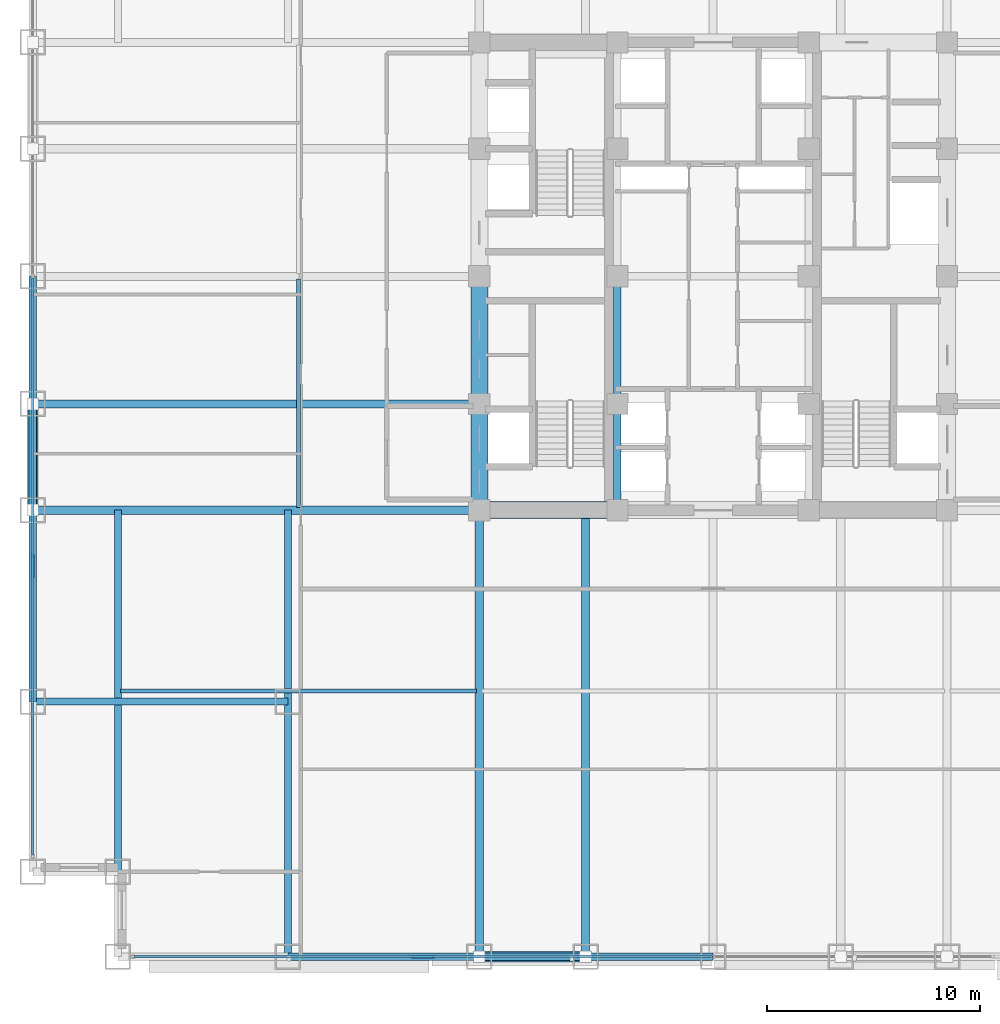
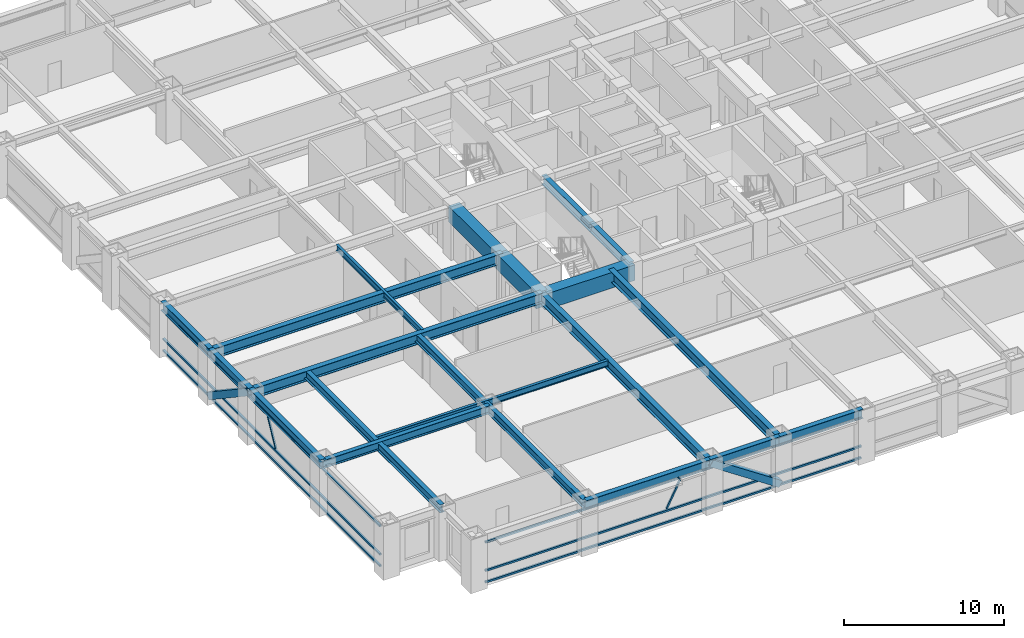
# One storey, part 3 of 32: 20 beams, 10 members, 2 elements without a shape of their own.
"""IFC4 building model written with IfcOpenShell, lengths in metres."""

from ifc_helpers import new_model, si_unit, direction, frame, origin, origin_2d, place, context, subcontext, project, spatial, rectangle, hollow_rectangle, i_section, extrude, source, transform, mapped, material, material_profile, profile_set, type_object, element, aggregate, save


model = new_model("IFC4")

# Units and contexts
model_context = context("Model", 3, precision=1e-05, world=origin(), true_north=direction((0.0, 1.0)))
body_context = subcontext(model_context, "Body", "Model", "MODEL_VIEW")
ifc_project = project(units=[si_unit("LENGTHUNIT", "METRE"), si_unit("AREAUNIT", "SQUARE_METRE"), si_unit("VOLUMEUNIT", "CUBIC_METRE"), si_unit("PLANEANGLEUNIT", "RADIAN"), si_unit("MASSUNIT", "GRAM", prefix="KILO")], contexts=[model_context])

# Site, building, storey
site_placement = place(None, origin())
site = spatial("IfcSite", under=ifc_project, at=site_placement, CompositionType="ELEMENT")
building_placement = place(site_placement, origin())
building = spatial("IfcBuilding", under=site, at=building_placement, Name="Khorayat Bourse Tower", CompositionType="ELEMENT")
storey_placement = place(building_placement, frame((0.0, 0.0, 91.39990234375)))
storey = spatial("IfcBuildingStorey", under=building, at=storey_placement, Name="L20", CompositionType="ELEMENT", Elevation=91.39990234375)

# Beams
ifc_material_1 = material(Name="Concrete C72/90", Category="concrete")
ifc_material_profile_1 = material_profile(ifc_material_1, rectangle(XDim=0.800048828125, YDim=1.199951171875, at=origin_2d()), Name="RC 800x1200")
ifc_profile_set_1 = profile_set([ifc_material_profile_1], Name="Concrete C72/90")
beam_type_1 = type_object("IfcBeamType", Name="BM-COUP-1200", PredefinedType="BEAM", material=ifc_profile_set_1)
shared_shape_1 = source(origin(), body_context, "Body", "SweptSolid", [
    extrude(rectangle(XDim=0.800048828125, YDim=1.199951171875, at=origin_2d()), origin(), (0.0, 0.0, 1.0), 5.0),
])
beam_1_placement = place(storey_placement, frame((-11.0, -11.0, 3.239990234375), z_axis=(0.0, 1.0, 0.0), x_axis=(-1.0, 0.0, 0.0)))
element("IfcBeam", 1, at=beam_1_placement, inside=storey, type_object=beam_type_1, Name="L20 BM-COUP-1200 BM-L20-CRX-01", PredefinedType="BEAM", context=body_context, shape_type="MappedRepresentation", body=[
    mapped(shared_shape_1, transform((0.0, 0.0, 0.0), scale=1.0)),
])
shared_shape_2 = source(origin(), body_context, "Body", "SweptSolid", [
    extrude(rectangle(XDim=0.800048828125, YDim=1.199951171875, at=origin_2d()), origin(), (0.0, 0.0, 1.0), 6.0),
])
beam_2_placement = place(storey_placement, frame((-11.0, -6.0, 3.239990234375), z_axis=(0.0, 1.0, 0.0), x_axis=(-1.0, 0.0, 0.0)))
element("IfcBeam", 2, at=beam_2_placement, inside=storey, type_object=beam_type_1, Name="L20 BM-COUP-1200 BM-L20-CRX-02", PredefinedType="BEAM", context=body_context, shape_type="MappedRepresentation", body=[
    mapped(shared_shape_2, transform((0.0, 0.0, 0.0), scale=1.0)),
])
ifc_material_2 = material(Name="Steel ASTM A992 Grade 50", Category="steel")
ifc_material_profile_2 = material_profile(ifc_material_2, i_section(OverallWidth=0.35498046875, OverallDepth=0.695068359375, WebThickness=0.015380859375, FlangeThickness=0.02490234375, FilletRadius=0.01806640625, at=origin_2d()), Name="W690X217")
ifc_profile_set_2 = profile_set([ifc_material_profile_2], Name="Steel ASTM A992 Grade 50")
beam_type_2 = type_object("IfcBeamType", Name="BM-GIRD-690", PredefinedType="BEAM", material=ifc_profile_set_2)
shared_shape_3 = source(origin(), body_context, "Body", "SweptSolid", [
    extrude(i_section(OverallWidth=0.35498046875, OverallDepth=0.695068359375, WebThickness=0.015380859375, FlangeThickness=0.02490234375, FilletRadius=0.01806640625, at=origin_2d()), origin(), (0.0, 0.0, 1.0), 5.0),
])
beam_3_placement = place(storey_placement, frame((-4.5, -11.0, 3.49267578125), z_axis=(0.0, 1.0, 0.0), x_axis=(-1.0, 0.0, 0.0)))
element("IfcBeam", 3, at=beam_3_placement, inside=storey, type_object=beam_type_2, Name="L20 BM-GIRD-690 BM-L20-CRX-05", PredefinedType="BEAM", context=body_context, shape_type="MappedRepresentation", body=[
    mapped(shared_shape_3, transform((0.0, 0.0, 0.0), scale=1.0)),
])
shared_shape_4 = source(origin(), body_context, "Body", "SweptSolid", [
    extrude(i_section(OverallWidth=0.35498046875, OverallDepth=0.695068359375, WebThickness=0.015380859375, FlangeThickness=0.02490234375, FilletRadius=0.01806640625, at=origin_2d()), origin(), (0.0, 0.0, 1.0), 6.0),
])
beam_4_placement = place(storey_placement, frame((-4.5, -6.0, 3.49267578125), z_axis=(0.0, 1.0, 0.0), x_axis=(-1.0, 0.0, 0.0)))
element("IfcBeam", 4, at=beam_4_placement, inside=storey, type_object=beam_type_2, Name="L20 BM-GIRD-690 BM-L20-CRX-06", PredefinedType="BEAM", context=body_context, shape_type="MappedRepresentation", body=[
    mapped(shared_shape_4, transform((0.0, 0.0, 0.0), scale=1.0)),
])
shared_shape_5 = source(origin(), body_context, "Body", "SweptSolid", [
    extrude(rectangle(XDim=0.800048828125, YDim=1.199951171875, at=origin_2d()), origin(), (0.0, 0.0, 1.0), 6.5),
])
beam_5_placement = place(storey_placement, frame((-11.0, -11.0, 3.239990234375), z_axis=(1.0, 0.0, 0.0), x_axis=(0.0, 1.0, 0.0)))
element("IfcBeam", 5, at=beam_5_placement, inside=storey, type_object=beam_type_1, Name="L20 BM-COUP-1200 BM-L20-CRY-17", PredefinedType="BEAM", context=body_context, shape_type="MappedRepresentation", body=[
    mapped(shared_shape_5, transform((0.0, 0.0, 0.0), scale=1.0)),
])
ifc_material_profile_3 = material_profile(ifc_material_2, i_section(OverallWidth=0.35498046875, OverallDepth=0.695068359375, WebThickness=0.015380859375, FlangeThickness=0.02490234375, FilletRadius=0.01806640625, at=origin_2d()), Name="W690X217")
ifc_profile_set_3 = profile_set([ifc_material_profile_3], Name="Steel ASTM A992 Grade 50")
beam_type_3 = type_object("IfcBeamType", Name="BM-SPAN-690", PredefinedType="SPANDREL", material=ifc_profile_set_3)
shared_shape_6 = source(origin(), body_context, "Body", "SweptSolid", [
    extrude(i_section(OverallWidth=0.35498046875, OverallDepth=0.695068359375, WebThickness=0.015380859375, FlangeThickness=0.02490234375, FilletRadius=0.01806640625, at=origin_2d()), origin(), (0.0, 0.0, 1.0), 9.0),
])
for number, where, z_axis, x_axis, name in (
    (6, (-20.0, -32.0, 3.49267578125), (1.0, 0.0, 0.0), (0.0, 1.0, 0.0), "L20 BM-SPAN-690 BM-L20-SPN-025"),
    (7, (-32.0, -20.0, 3.49267578125), (0.0, 1.0, 0.0), (-1.0, 0.0, 0.0), "L20 BM-SPAN-690 BM-L20-SPN-060"),
):
    element("IfcBeam", number, at=place(storey_placement, frame(where, z_axis=z_axis, x_axis=x_axis)), inside=storey, type_object=beam_type_3, Name=name, PredefinedType="SPANDREL", context=body_context, shape_type="MappedRepresentation", body=[
        mapped(shared_shape_6, transform((0.0, 0.0, 0.0), scale=1.0)),
    ])
shared_shape_7 = source(origin(), body_context, "Body", "SweptSolid", [
    extrude(i_section(OverallWidth=0.35498046875, OverallDepth=0.695068359375, WebThickness=0.015380859375, FlangeThickness=0.02490234375, FilletRadius=0.01806640625, at=origin_2d()), origin(), (0.0, 0.0, 1.0), 5.0),
])
for number, where, z_axis, x_axis, name in (
    (8, (-11.0, -32.0, 3.49267578125), (1.0, 0.0, 0.0), (0.0, 1.0, 0.0), "L20 BM-SPAN-690 BM-L20-SPN-026"),
    (9, (-32.0, -11.0, 3.49267578125), (0.0, 1.0, 0.0), (-1.0, 0.0, 0.0), "L20 BM-SPAN-690 BM-L20-SPN-059"),
):
    element("IfcBeam", number, at=place(storey_placement, frame(where, z_axis=z_axis, x_axis=x_axis)), inside=storey, type_object=beam_type_3, Name=name, PredefinedType="SPANDREL", context=body_context, shape_type="MappedRepresentation", body=[
        mapped(shared_shape_7, transform((0.0, 0.0, 0.0), scale=1.0)),
    ])
shared_shape_8 = source(origin(), body_context, "Body", "SweptSolid", [
    extrude(i_section(OverallWidth=0.35498046875, OverallDepth=0.695068359375, WebThickness=0.015380859375, FlangeThickness=0.02490234375, FilletRadius=0.01806640625, at=origin_2d()), origin(), (0.0, 0.0, 1.0), 6.0),
])
for number, where, z_axis, x_axis, name in (
    (10, (-6.0, -32.0, 3.49267578125), (1.0, 0.0, 0.0), (0.0, 1.0, 0.0), "L20 BM-SPAN-690 BM-L20-SPN-027"),
    (11, (-32.0, -6.0, 3.49267578125), (0.0, 1.0, 0.0), (-1.0, 0.0, 0.0), "L20 BM-SPAN-690 BM-L20-SPN-058"),
):
    element("IfcBeam", number, at=place(storey_placement, frame(where, z_axis=z_axis, x_axis=x_axis)), inside=storey, type_object=beam_type_3, Name=name, PredefinedType="SPANDREL", context=body_context, shape_type="MappedRepresentation", body=[
        mapped(shared_shape_8, transform((0.0, 0.0, 0.0), scale=1.0)),
    ])
ifc_material_profile_4 = material_profile(ifc_material_2, i_section(OverallWidth=0.324951171875, OverallDepth=0.615966796875, WebThickness=0.013916015625, FlangeThickness=0.021484375, FilletRadius=0.01611328125, at=origin_2d()), Name="W610X174")
ifc_profile_set_4 = profile_set([ifc_material_profile_4], Name="Steel ASTM A992 Grade 50")
beam_type_4 = type_object("IfcBeamType", Name="BM-GIRD-610", PredefinedType="BEAM", material=ifc_profile_set_4)
shared_shape_9 = source(origin(), body_context, "Body", "SweptSolid", [
    extrude(i_section(OverallWidth=0.324951171875, OverallDepth=0.615966796875, WebThickness=0.013916015625, FlangeThickness=0.021484375, FilletRadius=0.01611328125, at=origin_2d()), origin(), (0.0, 0.0, 1.0), 21.0),
])
beam_6_placement = place(storey_placement, frame((-20.0, -32.0, 3.531982421875), z_axis=(0.0, 1.0, 0.0), x_axis=(-1.0, 0.0, 0.0)))
element("IfcBeam", 12, at=beam_6_placement, inside=storey, type_object=beam_type_4, Name="L20 BM-GIRD-610 BM-L20-CNRY-084", PredefinedType="BEAM", context=body_context, shape_type="MappedRepresentation", body=[
    mapped(shared_shape_9, transform((0.0, 0.0, 0.0), scale=1.0)),
])
shared_shape_10 = source(origin(), body_context, "Body", "SweptSolid", [
    extrude(i_section(OverallWidth=0.324951171875, OverallDepth=0.615966796875, WebThickness=0.013916015625, FlangeThickness=0.021484375, FilletRadius=0.01611328125, at=origin_2d()), origin(), (0.0, 0.0, 1.0), 12.0),
])
beam_7_placement = place(storey_placement, frame((-32.0, -20.0, 3.531982421875), z_axis=(1.0, 0.0, 0.0), x_axis=(0.0, 1.0, 0.0)))
element("IfcBeam", 13, at=beam_7_placement, inside=storey, type_object=beam_type_4, Name="L20 BM-GIRD-610 BM-L20-CNRX-093", PredefinedType="BEAM", context=body_context, shape_type="MappedRepresentation", body=[
    mapped(shared_shape_10, transform((0.0, 0.0, 0.0), scale=1.0)),
])
ifc_material_profile_5 = material_profile(ifc_material_2, i_section(OverallWidth=0.194091796875, OverallDepth=0.468994140625, WebThickness=0.0126953125, FlangeThickness=0.0205078125, FilletRadius=0.012939453125, at=origin_2d()), Name="W460X106")
ifc_profile_set_5 = profile_set([ifc_material_profile_5], Name="Steel ASTM A992 Grade 50")
beam_type_5 = type_object("IfcBeamType", Name="BM-JOIST-460", PredefinedType="JOIST", material=ifc_profile_set_5)
shared_shape_11 = source(origin(), body_context, "Body", "SweptSolid", [
    extrude(i_section(OverallWidth=0.194091796875, OverallDepth=0.468994140625, WebThickness=0.0126953125, FlangeThickness=0.0205078125, FilletRadius=0.012939453125, at=origin_2d()), origin(), (0.0, 0.0, 1.0), 10.740234375),
])
beam_8_placement = place(storey_placement, frame((-19.5, -10.8701171875, 3.605712890625), z_axis=(0.0, 1.0, 0.0), x_axis=(-1.0, 0.0, 0.0)))
element("IfcBeam", 14, at=beam_8_placement, inside=storey, type_object=beam_type_5, Name="L20 BM-JOIST-460 BM-L20-JSTY-102", PredefinedType="JOIST", context=body_context, shape_type="MappedRepresentation", body=[
    mapped(shared_shape_11, transform((0.0, 0.0, 0.0), scale=1.0)),
])
ifc_material_profile_6 = material_profile(ifc_material_2, i_section(OverallWidth=0.381103515625, OverallDepth=0.77294921875, WebThickness=0.0166015625, FlangeThickness=0.027587890625, FilletRadius=0.01806640625, at=origin_2d()), Name="W760X257")
ifc_profile_set_6 = profile_set([ifc_material_profile_6], Name="Steel ASTM A992 Grade 50")
beam_type_6 = type_object("IfcBeamType", Name="BM-GIRD-760", PredefinedType="BEAM", material=ifc_profile_set_6)
shared_shape_12 = source(origin(), body_context, "Body", "SweptSolid", [
    extrude(i_section(OverallWidth=0.381103515625, OverallDepth=0.77294921875, WebThickness=0.0166015625, FlangeThickness=0.027587890625, FilletRadius=0.01806640625, at=origin_2d()), origin(), (0.0, 0.0, 1.0), 21.0),
])
for number, where, z_axis, x_axis, name in (
    (15, (-11.0, -32.0, 3.45361328125), (0.0, 1.0, 0.0), (-1.0, 0.0, 0.0), "L20 BM-GIRD-760 BM-L20-RADY-065"),
    (16, (-6.0, -32.0, 3.45361328125), (0.0, 1.0, 0.0), (-1.0, 0.0, 0.0), "L20 BM-GIRD-760 BM-L20-RADY-067"),
    (17, (-32.0, -11.0, 3.45361328125), (1.0, 0.0, 0.0), (0.0, 1.0, 0.0), "L20 BM-GIRD-760 BM-L20-RADX-075"),
    (18, (-32.0, -6.0, 3.45361328125), (1.0, 0.0, 0.0), (0.0, 1.0, 0.0), "L20 BM-GIRD-760 BM-L20-RADX-077"),
):
    element("IfcBeam", number, at=place(storey_placement, frame(where, z_axis=z_axis, x_axis=x_axis)), inside=storey, type_object=beam_type_6, Name=name, PredefinedType="BEAM", context=body_context, shape_type="MappedRepresentation", body=[
        mapped(shared_shape_12, transform((0.0, 0.0, 0.0), scale=1.0)),
    ])
shared_shape_13 = source(origin(), body_context, "Body", "SweptSolid", [
    extrude(i_section(OverallWidth=0.324951171875, OverallDepth=0.615966796875, WebThickness=0.013916015625, FlangeThickness=0.021484375, FilletRadius=0.01611328125, at=origin_2d()), origin(), (0.0, 0.0, 1.0), 17.0),
])
beam_9_placement = place(storey_placement, frame((-28.0, -28.0, 3.531982421875), z_axis=(0.0, 1.0, 0.0), x_axis=(-1.0, 0.0, 0.0)))
element("IfcBeam", 19, at=beam_9_placement, inside=storey, type_object=beam_type_4, Name="L20 BM-GIRD-610 BM-L20-CNRY-088", PredefinedType="BEAM", context=body_context, shape_type="MappedRepresentation", body=[
    mapped(shared_shape_13, transform((0.0, 0.0, 0.0), scale=1.0)),
])
shared_shape_14 = source(origin(), body_context, "Body", "SweptSolid", [
    extrude(i_section(OverallWidth=0.194091796875, OverallDepth=0.468994140625, WebThickness=0.0126953125, FlangeThickness=0.0205078125, FilletRadius=0.012939453125, at=origin_2d()), origin(), (0.0, 0.0, 1.0), 16.740234375),
])
beam_10_placement = place(storey_placement, frame((-27.8701171875, -19.5, 3.605712890625), z_axis=(1.0, 0.0, 0.0), x_axis=(0.0, 1.0, 0.0)))
element("IfcBeam", 20, at=beam_10_placement, inside=storey, type_object=beam_type_5, Name="L20 BM-JOIST-460 BM-L20-JSTX-096", PredefinedType="JOIST", context=body_context, shape_type="MappedRepresentation", body=[
    mapped(shared_shape_14, transform((0.0, 0.0, 0.0), scale=1.0)),
])

# Members
ifc_material_3 = material(Name="Steel EN 10025-4 S460M", Category="steel")
ifc_material_profile_7 = material_profile(ifc_material_3, hollow_rectangle(XDim=0.5, YDim=0.5, WallThickness=0.028076171875, at=origin_2d()), Name="HSS 500x500x28")
ifc_profile_set_7 = profile_set([ifc_material_profile_7], Name="Steel EN 10025-4 S460M")
member_type_1 = type_object("IfcMemberType", Name="MBR-TUBE-500", PredefinedType="BRACE", material=ifc_profile_set_7)
shared_shape_15 = source(origin(), body_context, "Body", "SweptSolid", [
    extrude(hollow_rectangle(XDim=0.5, YDim=0.5, WallThickness=0.028076171875, at=origin_2d()), origin(), (0.0, 0.0, 1.0), 6.012939453125),
])
for number, where, z_axis, x_axis, name in (
    (21, (-11.0, -32.0, 3.590087890625), (0.831531473026, 0.0, -0.555477640745), (0.0, 1.0, 0.0), "L20 Perimeter Tube Brace 01"),
    (22, (-32.0, -11.0, 3.590087890625), (0.0, 0.831531473026, -0.555477640745), (-1.0, 0.0, 0.0), "L20 Perimeter Tube Brace 05"),
):
    element("IfcMember", number, at=place(storey_placement, frame(where, z_axis=z_axis, x_axis=x_axis)), inside=storey, type_object=member_type_1, Name=name, PredefinedType="BRACE", context=body_context, shape_type="MappedRepresentation", body=[
        mapped(shared_shape_15, transform((0.0, 0.0, 0.0), scale=1.0)),
    ])

# Curtain wall, members
ifc_material_4 = material(Name="Aluminium EN AW-6063 T6", Category="aluminium")
curtain_wall_type = type_object("IfcCurtainWallType", Name="CW-SYS-02", PredefinedType="NOTDEFINED", material=ifc_material_4)
curtain_wall_1_placement = place(storey_placement, origin())
curtain_wall_1 = element("IfcCurtainWall", 23, at=curtain_wall_1_placement, inside=storey, type_object=curtain_wall_type, Name="L20 Curtain Wall CW-L20-S1", PredefinedType="NOTDEFINED")
ifc_material_profile_8 = material_profile(ifc_material_4, hollow_rectangle(XDim=0.139892578125, YDim=0.139892578125, WallThickness=0.006103515625, at=origin_2d()), Name="ALU 140x140x6")
ifc_profile_set_8 = profile_set([ifc_material_profile_8], Name="Aluminium EN AW-6063 T6")
member_type_2 = type_object("IfcMemberType", Name="CWT-HORZ-140", PredefinedType="USERDEFINED", material=ifc_profile_set_8)
shared_shape_16 = source(origin(), body_context, "Body", "SweptSolid", [
    extrude(hollow_rectangle(XDim=0.139892578125, YDim=0.139892578125, WallThickness=0.006103515625, at=origin_2d()), origin(), (0.0, 0.0, 1.0), 27.139892578125),
])
member_1_placement = place(storey_placement, frame((-27.2099609375, -32.0, 0.070068359375), z_axis=(1.0, 0.0, 0.0), x_axis=(0.0, 1.0, 0.0)))
member_1 = element("IfcMember", 24, at=member_1_placement, type_object=member_type_2, Name="CW-L20-S1 Horizontal Transom 1-1", ObjectType="TRANSOM", PredefinedType="USERDEFINED", context=body_context, shape_type="MappedRepresentation", body=[
    mapped(shared_shape_16, transform((0.0, 0.0, 0.0), scale=1.0)),
])
member_2_placement = place(storey_placement, frame((-27.2099609375, -32.0, 0.9501953125), z_axis=(1.0, 0.0, 0.0), x_axis=(0.0, 1.0, 0.0)))
member_2 = element("IfcMember", 25, at=member_2_placement, type_object=member_type_2, Name="CW-L20-S1 Horizontal Transom 1-2", ObjectType="TRANSOM", PredefinedType="USERDEFINED", context=body_context, shape_type="MappedRepresentation", body=[
    mapped(shared_shape_16, transform((0.0, 0.0, 0.0), scale=1.0)),
])
member_3_placement = place(storey_placement, frame((-27.2099609375, -32.0, 3.1201171875), z_axis=(1.0, 0.0, 0.0), x_axis=(0.0, 1.0, 0.0)))
member_3 = element("IfcMember", 26, at=member_3_placement, type_object=member_type_2, Name="CW-L20-S1 Horizontal Transom 1-3", ObjectType="TRANSOM", PredefinedType="USERDEFINED", context=body_context, shape_type="MappedRepresentation", body=[
    mapped(shared_shape_16, transform((0.0, 0.0, 0.0), scale=1.0)),
])

curtain_wall_2_placement = place(storey_placement, origin())
curtain_wall_2 = element("IfcCurtainWall", 27, at=curtain_wall_2_placement, inside=storey, type_object=curtain_wall_type, Name="L20 Curtain Wall CW-L20-W1", PredefinedType="NOTDEFINED")
member_4_placement = place(storey_placement, frame((-32.0, -27.2099609375, 0.070068359375), z_axis=(0.0, 1.0, 0.0), x_axis=(-1.0, 0.0, 0.0)))
member_4 = element("IfcMember", 28, at=member_4_placement, type_object=member_type_2, Name="CW-L20-W1 Horizontal Transom 1-1", ObjectType="TRANSOM", PredefinedType="USERDEFINED", context=body_context, shape_type="MappedRepresentation", body=[
    mapped(shared_shape_16, transform((0.0, 0.0, 0.0), scale=1.0)),
])
member_5_placement = place(storey_placement, frame((-32.0, -27.2099609375, 0.9501953125), z_axis=(0.0, 1.0, 0.0), x_axis=(-1.0, 0.0, 0.0)))
member_5 = element("IfcMember", 29, at=member_5_placement, type_object=member_type_2, Name="CW-L20-W1 Horizontal Transom 1-2", ObjectType="TRANSOM", PredefinedType="USERDEFINED", context=body_context, shape_type="MappedRepresentation", body=[
    mapped(shared_shape_16, transform((0.0, 0.0, 0.0), scale=1.0)),
])
member_6_placement = place(storey_placement, frame((-32.0, -27.2099609375, 3.1201171875), z_axis=(0.0, 1.0, 0.0), x_axis=(-1.0, 0.0, 0.0)))
member_6 = element("IfcMember", 30, at=member_6_placement, type_object=member_type_2, Name="CW-L20-W1 Horizontal Transom 1-3", ObjectType="TRANSOM", PredefinedType="USERDEFINED", context=body_context, shape_type="MappedRepresentation", body=[
    mapped(shared_shape_16, transform((0.0, 0.0, 0.0), scale=1.0)),
])

# Member
ifc_material_profile_9 = material_profile(ifc_material_4, hollow_rectangle(XDim=0.1201171875, YDim=0.1201171875, WallThickness=0.0048828125, at=origin_2d()), Name="ALU 120x120x5")
ifc_profile_set_9 = profile_set([ifc_material_profile_9], Name="Aluminium EN AW-6063 T6")
member_type_3 = type_object("IfcMemberType", Name="CWM-DIAG-120", PredefinedType="MULLION", material=ifc_profile_set_9)
shared_shape_17 = source(origin(), body_context, "Body", "SweptSolid", [
    extrude(hollow_rectangle(XDim=0.1201171875, YDim=0.1201171875, WallThickness=0.0048828125, at=origin_2d()), origin(), (0.0, 0.0, 1.0), 2.11328125),
])
member_7_placement = place(storey_placement, frame((-14.132080078125, -32.0, 1.10009765625), z_axis=(0.465694055905, 0.0, 0.884945787207), x_axis=(0.0, 1.0, 0.0)))
member_7 = element("IfcMember", 31, at=member_7_placement, type_object=member_type_3, Name="CW-L20-S1 Faceted Diagonal Mullion 1", PredefinedType="MULLION", context=body_context, shape_type="MappedRepresentation", body=[
    mapped(shared_shape_17, transform((0.0, 0.0, 0.0), scale=1.0)),
])

aggregate(curtain_wall_1, [member_1, member_2, member_3, member_7])

member_8_placement = place(storey_placement, frame((-32.0, -14.132080078125, 1.10009765625), z_axis=(0.0, 0.465694055905, 0.884945787207), x_axis=(-1.0, 0.0, 0.0)))
member_8 = element("IfcMember", 32, at=member_8_placement, type_object=member_type_3, Name="CW-L20-W1 Faceted Diagonal Mullion 1", PredefinedType="MULLION", context=body_context, shape_type="MappedRepresentation", body=[
    mapped(shared_shape_17, transform((0.0, 0.0, 0.0), scale=1.0)),
])

aggregate(curtain_wall_2, [member_4, member_5, member_6, member_8])

save(model, "model.ifc")
